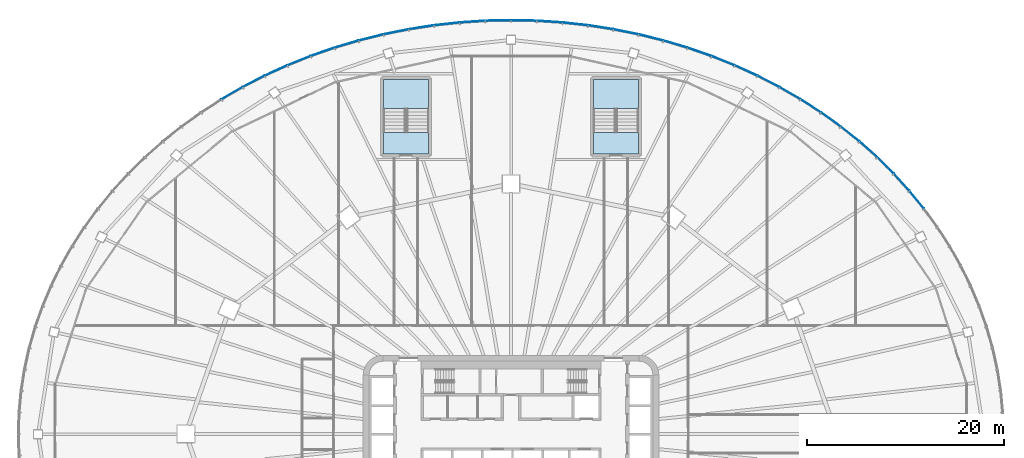
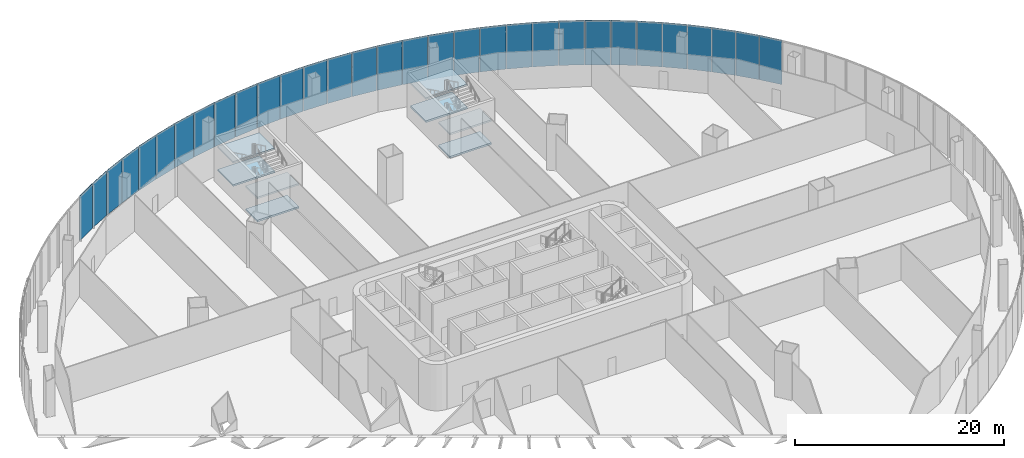
# One storey, part 19 of 42: 31 plates, 8 slabs, 9 elements without a shape of their own.
"""IFC4 building model written with IfcOpenShell, lengths in metres."""

from ifc_helpers import new_model, si_unit, direction, frame, origin, place, context, subcontext, project, spatial, polyline, outline, extrude, material, layer, layer_set, type_object, element, aggregate, save


model = new_model("IFC4")

# Units and contexts
model_context = context("Model", 3, precision=1e-05, world=origin(), true_north=direction((0.0, 1.0)))
body_context = subcontext(model_context, "Body", "Model", "MODEL_VIEW")
ifc_project = project(units=[si_unit("LENGTHUNIT", "METRE"), si_unit("AREAUNIT", "SQUARE_METRE"), si_unit("VOLUMEUNIT", "CUBIC_METRE"), si_unit("PLANEANGLEUNIT", "RADIAN"), si_unit("MASSUNIT", "GRAM", prefix="KILO")], contexts=[model_context])

# Site, building, storey
site_placement = place(None, origin())
site = spatial("IfcSite", under=ifc_project, at=site_placement, CompositionType="ELEMENT")
building_placement = place(site_placement, origin())
building = spatial("IfcBuilding", under=site, at=building_placement, Name="Sahrelin Media Tower", CompositionType="ELEMENT")
storey_placement = place(building_placement, frame((0.0, 0.0, 26.0)))
storey = spatial("IfcBuildingStorey", under=building, at=storey_placement, Name="L03", CompositionType="ELEMENT", Elevation=26.0)

# Curtain wall, plates
ifc_material_1 = material(Name="Champagne anodised aluminium 6063-T6", Category="aluminium")
ifc_layer_1 = layer(ifc_material_1, 0.14990234375)
ifc_layer_set_1 = layer_set([ifc_layer_1], Name="Podium ribbon curtain wall")
curtain_wall_type = type_object("IfcCurtainWallType", Name="Podium ribbon curtain wall", PredefinedType="NOTDEFINED", material=ifc_layer_set_1)
curtain_wall_1_placement = place(storey_placement, frame((43.30126953125, 21.0, 0.0), z_axis=(0.0, 0.0, 1.0), x_axis=(1.0, 0.0, 0.0)))
curtain_wall_1 = element("IfcCurtainWall", 1, at=curtain_wall_1_placement, inside=storey, type_object=curtain_wall_type, Name="L03:CW:L03-P02", PredefinedType="NOTDEFINED")
ifc_material_2 = material(Name="Clear low-iron glazing", Category="glass")
ifc_layer_2 = layer(ifc_material_2, 0.050048828125)
ifc_layer_set_2 = layer_set([ifc_layer_2], Name="Glazing panel 50 mm CW5")
plate_type = type_object("IfcPlateType", Name="Glazing panel 50 mm CW5", PredefinedType="CURTAIN_PANEL", material=ifc_layer_set_2)
plate_1_placement = place(storey_placement, frame((41.917236328125, 22.92626953125, 0.0), z_axis=(0.773971540698, 0.633220383586, 0.0), x_axis=(-0.633220383586, 0.773971540698, 0.0)))
plate_1 = element("IfcPlate", 2, at=plate_1_placement, type_object=plate_type, Name="L03:CWP2a:L03-P02", PredefinedType="CURTAIN_PANEL", context=body_context, shape_type="SweptSolid", body=[
    extrude(outline(polyline([(0.0, 0.0), (2.291259765625, 0.0), (2.291259765625, 5.199951171875), (0.0, 5.199951171875), (0.0, 0.0)])), origin(), (0.0, 0.0, -1.0), 0.050048828125),
])
plate_2_placement = place(storey_placement, frame((40.431884765625, 24.7373046875, 0.0), z_axis=(0.738366649953, 0.674399503438, 0.0), x_axis=(-0.674399503438, 0.738366649953, 0.0)))
plate_2 = element("IfcPlate", 3, at=plate_2_placement, type_object=plate_type, Name="L03:CWP3a:L03-P02", PredefinedType="CURTAIN_PANEL", context=body_context, shape_type="SweptSolid", body=[
    extrude(outline(polyline([(0.0, 0.0), (2.31298828125, 0.0), (2.31298828125, 5.199951171875), (0.0, 5.199951171875), (0.0, 0.0)])), origin(), (0.0, 0.0, -1.0), 0.050048828125),
])
plate_3_placement = place(storey_placement, frame((38.835693359375, 26.480712890625, 0.0), z_axis=(0.701226778189, 0.712938290142, 0.0), x_axis=(-0.712938290142, 0.701226778189, 0.0)))
plate_3 = element("IfcPlate", 4, at=plate_3_placement, type_object=plate_type, Name="L03:CWP4a:L03-P02", PredefinedType="CURTAIN_PANEL", context=body_context, shape_type="SweptSolid", body=[
    extrude(outline(polyline([(0.0, 0.0), (2.334716796875, 0.0), (2.334716796875, 5.199951171875), (0.0, 5.199951171875), (0.0, 0.0)])), origin(), (0.0, 0.0, -1.0), 0.050048828125),
])
plate_4_placement = place(storey_placement, frame((37.133056640625, 28.151611328125, 0.0), z_axis=(0.662799646717, 0.74879678706, 0.0), x_axis=(-0.74879678706, 0.662799646717, 0.0)))
plate_4 = element("IfcPlate", 5, at=plate_4_placement, type_object=plate_type, Name="L03:CWP5a:L03-P02", PredefinedType="CURTAIN_PANEL", context=body_context, shape_type="SweptSolid", body=[
    extrude(outline(polyline([(0.0, 0.0), (2.356201171875, 0.0), (2.356201171875, 5.199951171875), (0.0, 5.199951171875), (0.0, 0.0)])), origin(), (0.0, 0.0, -1.0), 0.050048828125),
])
aggregate(curtain_wall_1, [plate_1, plate_2, plate_3, plate_4])

curtain_wall_2_placement = place(storey_placement, frame((35.355224609375, 29.698486328125, 0.0), z_axis=(0.0, 0.0, 1.0), x_axis=(1.0, 0.0, 0.0)))
curtain_wall_2 = element("IfcCurtainWall", 6, at=curtain_wall_2_placement, inside=storey, type_object=curtain_wall_type, Name="L03:CW:L03-P03", PredefinedType="NOTDEFINED")
plate_5_placement = place(storey_placement, frame((35.32861328125, 29.745361328125, 0.0), z_axis=(0.62334202437, 0.781949308238, 0.0), x_axis=(-0.781949308238, 0.62334202437, 0.0)))
plate_5 = element("IfcPlate", 7, at=plate_5_placement, type_object=plate_type, Name="L03:CWP1a:L03-P03", PredefinedType="CURTAIN_PANEL", context=body_context, shape_type="SweptSolid", body=[
    extrude(outline(polyline([(0.0, 0.0), (2.378173828125, 0.0), (2.378173828125, 5.199951171875), (0.0, 5.199951171875), (0.0, 0.0)])), origin(), (0.0, 0.0, -1.0), 0.050048828125),
])
plate_6_placement = place(storey_placement, frame((33.427490234375, 31.257568359375, 0.0), z_axis=(0.582969203384, 0.812494250999, 0.0), x_axis=(-0.812494250999, 0.582969203384, 0.0)))
plate_6 = element("IfcPlate", 8, at=plate_6_placement, type_object=plate_type, Name="L03:CWP2a:L03-P03", PredefinedType="CURTAIN_PANEL", context=body_context, shape_type="SweptSolid", body=[
    extrude(outline(polyline([(0.0, 0.0), (2.399658203125, 0.0), (2.399658203125, 5.199951171875), (0.0, 5.199951171875), (0.0, 0.0)])), origin(), (0.0, 0.0, -1.0), 0.050048828125),
])
plate_7_placement = place(storey_placement, frame((31.434814453125, 32.68408203125, 0.0), z_axis=(0.541786842033, 0.840515923585, 0.0), x_axis=(-0.840515923585, 0.541786842033, 0.0)))
plate_7 = element("IfcPlate", 9, at=plate_7_placement, type_object=plate_type, Name="L03:CWP3a:L03-P03", PredefinedType="CURTAIN_PANEL", context=body_context, shape_type="SweptSolid", body=[
    extrude(outline(polyline([(0.0, 0.0), (2.420654296875, 0.0), (2.420654296875, 5.199951171875), (0.0, 5.199951171875), (0.0, 0.0)])), origin(), (0.0, 0.0, -1.0), 0.050048828125),
])
plate_8_placement = place(storey_placement, frame((29.35595703125, 34.02099609375, 0.0), z_axis=(0.499979298005, 0.866037355757, 0.0), x_axis=(-0.866037355757, 0.499979298005, 0.0)))
plate_8 = element("IfcPlate", 10, at=plate_8_placement, type_object=plate_type, Name="L03:CWP4a:L03-P03", PredefinedType="CURTAIN_PANEL", context=body_context, shape_type="SweptSolid", body=[
    extrude(outline(polyline([(0.0, 0.0), (2.44091796875, 0.0), (2.44091796875, 5.199951171875), (0.0, 5.199951171875), (0.0, 0.0)])), origin(), (0.0, 0.0, -1.0), 0.050048828125),
])
plate_9_placement = place(storey_placement, frame((27.19677734375, 35.264892578125, 0.0), z_axis=(0.457661890487, 0.88912630936, 0.0), x_axis=(-0.88912630936, 0.457661890487, 0.0)))
plate_9 = element("IfcPlate", 11, at=plate_9_placement, type_object=plate_type, Name="L03:CWP5a:L03-P03", PredefinedType="CURTAIN_PANEL", context=body_context, shape_type="SweptSolid", body=[
    extrude(outline(polyline([(0.0, 0.0), (2.460205078125, 0.0), (2.460205078125, 5.199951171875), (0.0, 5.199951171875), (0.0, 0.0)])), origin(), (0.0, 0.0, -1.0), 0.050048828125),
])
aggregate(curtain_wall_2, [plate_5, plate_6, plate_7, plate_8, plate_9])

curtain_wall_3_placement = place(storey_placement, frame((25.0, 36.373046875, 0.0), z_axis=(0.0, 0.0, 1.0), x_axis=(1.0, 0.0, 0.0)))
curtain_wall_3 = element("IfcCurtainWall", 12, at=curtain_wall_3_placement, inside=storey, type_object=curtain_wall_type, Name="L03:CW:L03-P04", PredefinedType="NOTDEFINED")
plate_10_placement = place(storey_placement, frame((24.962890625, 36.412109375, 0.0), z_axis=(0.414893598906, 0.909869936632, 0.0), x_axis=(-0.909869936632, 0.414893598906, 0.0)))
plate_10 = element("IfcPlate", 13, at=plate_10_placement, type_object=plate_type, Name="L03:CWP1a:L03-P04", PredefinedType="CURTAIN_PANEL", context=body_context, shape_type="SweptSolid", body=[
    extrude(outline(polyline([(0.0, 0.0), (2.478515625, 0.0), (2.478515625, 5.199951171875), (0.0, 5.199951171875), (0.0, 0.0)])), origin(), (0.0, 0.0, -1.0), 0.050048828125),
])
plate_11_placement = place(storey_placement, frame((22.660400390625, 37.45947265625, 0.0), z_axis=(0.371913588766, 0.928267355071, 0.0), x_axis=(-0.928267355071, 0.371913588766, 0.0)))
plate_11 = element("IfcPlate", 14, at=plate_11_placement, type_object=plate_type, Name="L03:CWP2a:L03-P04", PredefinedType="CURTAIN_PANEL", context=body_context, shape_type="SweptSolid", body=[
    extrude(outline(polyline([(0.0, 0.0), (2.4951171875, 0.0), (2.4951171875, 5.199951171875), (0.0, 5.199951171875), (0.0, 0.0)])), origin(), (0.0, 0.0, -1.0), 0.050048828125),
])
plate_12_placement = place(storey_placement, frame((20.296142578125, 38.404296875, 0.0), z_axis=(0.328599832248, 0.944469242615, 0.0), x_axis=(-0.944469242615, 0.328599832248, 0.0)))
plate_12 = element("IfcPlate", 15, at=plate_12_placement, type_object=plate_type, Name="L03:CWP3a:L03-P04", PredefinedType="CURTAIN_PANEL", context=body_context, shape_type="SweptSolid", body=[
    extrude(outline(polyline([(0.0, 0.0), (2.510498046875, 0.0), (2.510498046875, 5.199951171875), (0.0, 5.199951171875), (0.0, 0.0)])), origin(), (0.0, 0.0, -1.0), 0.050048828125),
])
plate_13_placement = place(storey_placement, frame((17.876220703125, 39.243896484375, 0.0), z_axis=(0.285102349758, 0.958497078849, 0.0), x_axis=(-0.958497078849, 0.285102349758, 0.0)))
plate_13 = element("IfcPlate", 16, at=plate_13_placement, type_object=plate_type, Name="L03:CWP4a:L03-P04", PredefinedType="CURTAIN_PANEL", context=body_context, shape_type="SweptSolid", body=[
    extrude(outline(polyline([(0.0, 0.0), (2.5244140625, 0.0), (2.5244140625, 5.199951171875), (0.0, 5.199951171875), (0.0, 0.0)])), origin(), (0.0, 0.0, -1.0), 0.050048828125),
])
plate_14_placement = place(storey_placement, frame((15.406982421875, 39.975830078125, 0.0), z_axis=(0.241516267963, 0.970396770558, 0.0), x_axis=(-0.970396770558, 0.241516267963, 0.0)))
plate_14 = element("IfcPlate", 17, at=plate_14_placement, type_object=plate_type, Name="L03:CWP5a:L03-P04", PredefinedType="CURTAIN_PANEL", context=body_context, shape_type="SweptSolid", body=[
    extrude(outline(polyline([(0.0, 0.0), (2.536376953125, 0.0), (2.536376953125, 5.199951171875), (0.0, 5.199951171875), (0.0, 0.0)])), origin(), (0.0, 0.0, -1.0), 0.050048828125),
])
aggregate(curtain_wall_3, [plate_10, plate_11, plate_12, plate_13, plate_14])

curtain_wall_4_placement = place(storey_placement, frame((12.94091796875, 40.56884765625, 0.0), z_axis=(0.0, 0.0, 1.0), x_axis=(1.0, 0.0, 0.0)))
curtain_wall_4 = element("IfcCurtainWall", 18, at=curtain_wall_4_placement, inside=storey, type_object=curtain_wall_type, Name="L03:CW:L03-P05", PredefinedType="NOTDEFINED")
plate_15_placement = place(storey_placement, frame((12.89599609375, 40.598388671875, 0.0), z_axis=(0.197682982877, 0.980266003838, 0.0), x_axis=(-0.980266003838, 0.197682982877, 0.0)))
plate_15 = element("IfcPlate", 19, at=plate_15_placement, type_object=plate_type, Name="L03:CWP1a:L03-P05", PredefinedType="CURTAIN_PANEL", context=body_context, shape_type="SweptSolid", body=[
    extrude(outline(polyline([(0.0, 0.0), (2.546630859375, 0.0), (2.546630859375, 5.199951171875), (0.0, 5.199951171875), (0.0, 0.0)])), origin(), (0.0, 0.0, -1.0), 0.050048828125),
])
plate_16_placement = place(storey_placement, frame((10.349365234375, 41.109619140625, 0.0), z_axis=(0.153837616307, 0.988096142999, 0.0), x_axis=(-0.988096142999, 0.153837616307, 0.0)))
plate_16 = element("IfcPlate", 20, at=plate_16_placement, type_object=plate_type, Name="L03:CWP2a:L03-P05", PredefinedType="CURTAIN_PANEL", context=body_context, shape_type="SweptSolid", body=[
    extrude(outline(polyline([(0.0, 0.0), (2.55517578125, 0.0), (2.55517578125, 5.199951171875), (0.0, 5.199951171875), (0.0, 0.0)])), origin(), (0.0, 0.0, -1.0), 0.050048828125),
])
plate_17_placement = place(storey_placement, frame((7.774169921875, 41.50830078125, 0.0), z_axis=(0.109908392122, 0.9939417213, 0.0), x_axis=(-0.9939417213, 0.109908392122, 0.0)))
plate_17 = element("IfcPlate", 21, at=plate_17_placement, type_object=plate_type, Name="L03:CWP3a:L03-P05", PredefinedType="CURTAIN_PANEL", context=body_context, shape_type="SweptSolid", body=[
    extrude(outline(polyline([(0.0, 0.0), (2.561279296875, 0.0), (2.561279296875, 5.199951171875), (0.0, 5.199951171875), (0.0, 0.0)])), origin(), (0.0, 0.0, -1.0), 0.050048828125),
])
plate_18_placement = place(storey_placement, frame((5.177734375, 41.793212890625, 0.0), z_axis=(0.065956789275, 0.997822480178, 0.0), x_axis=(-0.997822480178, 0.065956789275, 0.0)))
plate_18 = element("IfcPlate", 22, at=plate_18_placement, type_object=plate_type, Name="L03:CWP4a:L03-P05", PredefinedType="CURTAIN_PANEL", context=body_context, shape_type="SweptSolid", body=[
    extrude(outline(polyline([(0.0, 0.0), (2.565185546875, 0.0), (2.565185546875, 5.199951171875), (0.0, 5.199951171875), (0.0, 0.0)])), origin(), (0.0, 0.0, -1.0), 0.050048828125),
])
plate_19_placement = place(storey_placement, frame((2.5673828125, 41.96337890625, 0.0), z_axis=(0.022060447041, 0.999756638726, 0.0), x_axis=(-0.999756638726, 0.022060447041, 0.0)))
plate_19 = element("IfcPlate", 23, at=plate_19_placement, type_object=plate_type, Name="L03:CWP5a:L03-P05", PredefinedType="CURTAIN_PANEL", context=body_context, shape_type="SweptSolid", body=[
    extrude(outline(polyline([(0.0, 0.0), (2.567626953125, 0.0), (2.567626953125, 5.199951171875), (0.0, 5.199951171875), (0.0, 0.0)])), origin(), (0.0, 0.0, -1.0), 0.050048828125),
])
aggregate(curtain_wall_4, [plate_15, plate_16, plate_17, plate_18, plate_19])

curtain_wall_5_placement = place(storey_placement, frame((0.0, 42.0, 0.0), z_axis=(0.0, 0.0, 1.0), x_axis=(1.0, 0.0, 0.0)))
curtain_wall_5 = element("IfcCurtainWall", 24, at=curtain_wall_5_placement, inside=storey, type_object=curtain_wall_type, Name="L03:CW:L03-P06", PredefinedType="NOTDEFINED")
plate_20_placement = place(storey_placement, frame((-0.05029296875, 42.018798828125, 0.0), z_axis=(-0.021965404884, 0.999758731389, 0.0), x_axis=(-0.999758731389, -0.021965404884, 0.0)))
plate_20 = element("IfcPlate", 25, at=plate_20_placement, type_object=plate_type, Name="L03:CWP1a:L03-P06", PredefinedType="CURTAIN_PANEL", context=body_context, shape_type="SweptSolid", body=[
    extrude(outline(polyline([(0.0, 0.0), (2.567626953125, 0.0), (2.567626953125, 5.199951171875), (0.0, 5.199951171875), (0.0, 0.0)])), origin(), (0.0, 0.0, -1.0), 0.050048828125),
])
plate_21_placement = place(storey_placement, frame((-2.66796875, 41.958984375, 0.0), z_axis=(-0.065950526052, 0.997822894162, 0.0), x_axis=(-0.997822894162, -0.065950526052, 0.0)))
plate_21 = element("IfcPlate", 26, at=plate_21_placement, type_object=plate_type, Name="L03:CWP2a:L03-P06", PredefinedType="CURTAIN_PANEL", context=body_context, shape_type="SweptSolid", body=[
    extrude(outline(polyline([(0.0, 0.0), (2.5654296875, 0.0), (2.5654296875, 5.199951171875), (0.0, 5.199951171875), (0.0, 0.0)])), origin(), (0.0, 0.0, -1.0), 0.050048828125),
])
plate_22_placement = place(storey_placement, frame((-5.2783203125, 41.7841796875, 0.0), z_axis=(-0.109908392122, 0.9939417213, 0.0), x_axis=(-0.9939417213, -0.109908392122, 0.0)))
plate_22 = element("IfcPlate", 27, at=plate_22_placement, type_object=plate_type, Name="L03:CWP3a:L03-P06", PredefinedType="CURTAIN_PANEL", context=body_context, shape_type="SweptSolid", body=[
    extrude(outline(polyline([(0.0, 0.0), (2.561279296875, 0.0), (2.561279296875, 5.199951171875), (0.0, 5.199951171875), (0.0, 0.0)])), origin(), (0.0, 0.0, -1.0), 0.050048828125),
])
plate_23_placement = place(storey_placement, frame((-7.874267578125, 41.4951171875, 0.0), z_axis=(-0.153852142069, 0.98809388136, 0.0), x_axis=(-0.98809388136, -0.153852142069, 0.0)))
plate_23 = element("IfcPlate", 28, at=plate_23_placement, type_object=plate_type, Name="L03:CWP4a:L03-P06", PredefinedType="CURTAIN_PANEL", context=body_context, shape_type="SweptSolid", body=[
    extrude(outline(polyline([(0.0, 0.0), (2.554931640625, 0.0), (2.554931640625, 5.199951171875), (0.0, 5.199951171875), (0.0, 0.0)])), origin(), (0.0, 0.0, -1.0), 0.050048828125),
])
plate_24_placement = place(storey_placement, frame((-10.448486328125, 41.091796875, 0.0), z_axis=(-0.197664406805, 0.980269749754, 0.0), x_axis=(-0.980269749754, -0.197664406805, 0.0)))
plate_24 = element("IfcPlate", 29, at=plate_24_placement, type_object=plate_type, Name="L03:CWP5a:L03-P06", PredefinedType="CURTAIN_PANEL", context=body_context, shape_type="SweptSolid", body=[
    extrude(outline(polyline([(0.0, 0.0), (2.546875, 0.0), (2.546875, 5.199951171875), (0.0, 5.199951171875), (0.0, 0.0)])), origin(), (0.0, 0.0, -1.0), 0.050048828125),
])
aggregate(curtain_wall_5, [plate_20, plate_21, plate_22, plate_23, plate_24])

curtain_wall_6_placement = place(storey_placement, frame((-12.94091796875, 40.56884765625, 0.0), z_axis=(0.0, 0.0, 1.0), x_axis=(1.0, 0.0, 0.0)))
curtain_wall_6 = element("IfcCurtainWall", 30, at=curtain_wall_6_placement, inside=storey, type_object=curtain_wall_type, Name="L03:CW:L03-P07", PredefinedType="NOTDEFINED")
plate_25_placement = place(storey_placement, frame((-12.994384765625, 40.576171875, 0.0), z_axis=(-0.241425619685, 0.970419326971, 0.0), x_axis=(-0.970419326971, -0.241425619685, 0.0)))
plate_25 = element("IfcPlate", 31, at=plate_25_placement, type_object=plate_type, Name="L03:CWP1a:L03-P07", PredefinedType="CURTAIN_PANEL", context=body_context, shape_type="SweptSolid", body=[
    extrude(outline(polyline([(0.0, 0.0), (2.5361328125, 0.0), (2.5361328125, 5.199951171875), (0.0, 5.199951171875), (0.0, 0.0)])), origin(), (0.0, 0.0, -1.0), 0.050048828125),
])
plate_26_placement = place(storey_placement, frame((-15.50439453125, 39.94921875, 0.0), z_axis=(-0.285102349758, 0.958497078849, 0.0), x_axis=(-0.958497078849, -0.285102349758, 0.0)))
plate_26 = element("IfcPlate", 32, at=plate_26_placement, type_object=plate_type, Name="L03:CWP2a:L03-P07", PredefinedType="CURTAIN_PANEL", context=body_context, shape_type="SweptSolid", body=[
    extrude(outline(polyline([(0.0, 0.0), (2.5244140625, 0.0), (2.5244140625, 5.199951171875), (0.0, 5.199951171875), (0.0, 0.0)])), origin(), (0.0, 0.0, -1.0), 0.050048828125),
])
plate_27_placement = place(storey_placement, frame((-17.97216796875, 39.212890625, 0.0), z_axis=(-0.328656390674, 0.944449562904, 0.0), x_axis=(-0.944449562904, -0.328656390674, 0.0)))
plate_27 = element("IfcPlate", 33, at=plate_27_placement, type_object=plate_type, Name="L03:CWP3a:L03-P07", PredefinedType="CURTAIN_PANEL", context=body_context, shape_type="SweptSolid", body=[
    extrude(outline(polyline([(0.0, 0.0), (2.5107421875, 0.0), (2.5107421875, 5.199951171875), (0.0, 5.199951171875), (0.0, 0.0)])), origin(), (0.0, 0.0, -1.0), 0.050048828125),
])
plate_28_placement = place(storey_placement, frame((-20.390625, 38.368896484375, 0.0), z_axis=(-0.371913588766, 0.928267355071, 0.0), x_axis=(-0.928267355071, -0.371913588766, 0.0)))
plate_28 = element("IfcPlate", 34, at=plate_28_placement, type_object=plate_type, Name="L03:CWP4a:L03-P07", PredefinedType="CURTAIN_PANEL", context=body_context, shape_type="SweptSolid", body=[
    extrude(outline(polyline([(0.0, 0.0), (2.4951171875, 0.0), (2.4951171875, 5.199951171875), (0.0, 5.199951171875), (0.0, 0.0)])), origin(), (0.0, 0.0, -1.0), 0.050048828125),
])
plate_29_placement = place(storey_placement, frame((-22.75341796875, 37.419677734375, 0.0), z_axis=(-0.414930786604, 0.909852978413, 0.0), x_axis=(-0.909852978413, -0.414930786604, 0.0)))
plate_29 = element("IfcPlate", 35, at=plate_29_placement, type_object=plate_type, Name="L03:CWP5a:L03-P07", PredefinedType="CURTAIN_PANEL", context=body_context, shape_type="SweptSolid", body=[
    extrude(outline(polyline([(0.0, 0.0), (2.478271484375, 0.0), (2.478271484375, 5.199951171875), (0.0, 5.199951171875), (0.0, 0.0)])), origin(), (0.0, 0.0, -1.0), 0.050048828125),
])
aggregate(curtain_wall_6, [plate_25, plate_26, plate_27, plate_28, plate_29])

curtain_wall_7_placement = place(storey_placement, frame((-25.0, 36.373046875, 0.0), z_axis=(0.0, 0.0, 1.0), x_axis=(1.0, 0.0, 0.0)))
curtain_wall_7 = element("IfcCurtainWall", 36, at=curtain_wall_7_placement, inside=storey, type_object=curtain_wall_type, Name="L03:CW:L03-P08", PredefinedType="NOTDEFINED")
plate_30_placement = place(storey_placement, frame((-25.0537109375, 36.367919921875, 0.0), z_axis=(-0.457661890487, 0.88912630936, 0.0), x_axis=(-0.88912630936, -0.457661890487, 0.0)))
plate_30 = element("IfcPlate", 37, at=plate_30_placement, type_object=plate_type, Name="L03:CWP1a:L03-P08", PredefinedType="CURTAIN_PANEL", context=body_context, shape_type="SweptSolid", body=[
    extrude(outline(polyline([(0.0, 0.0), (2.460205078125, 0.0), (2.460205078125, 5.199951171875), (0.0, 5.199951171875), (0.0, 0.0)])), origin(), (0.0, 0.0, -1.0), 0.050048828125),
])
plate_31_placement = place(storey_placement, frame((-27.285400390625, 35.216552734375, 0.0), z_axis=(-0.499979298005, 0.866037355757, 0.0), x_axis=(-0.866037355757, -0.499979298005, 0.0)))
plate_31 = element("IfcPlate", 38, at=plate_31_placement, type_object=plate_type, Name="L03:CWP2a:L03-P08", PredefinedType="CURTAIN_PANEL", context=body_context, shape_type="SweptSolid", body=[
    extrude(outline(polyline([(0.0, 0.0), (2.44091796875, 0.0), (2.44091796875, 5.199951171875), (0.0, 5.199951171875), (0.0, 0.0)])), origin(), (0.0, 0.0, -1.0), 0.050048828125),
])
aggregate(curtain_wall_7, [plate_30, plate_31])

# Stair, slabs
ifc_material_3 = material(Name="Concrete C40/50", Category="concrete")
stair_type = type_object("IfcStairType", Name="Podium stair 2225", PredefinedType="HALF_TURN_STAIR", material=ifc_material_3)
placement_1 = place(storey_placement, origin())
stair_1 = element("IfcStair", 39, at=placement_1, inside=storey, type_object=stair_type, Name="L03 Podium stair PS1", PredefinedType="HALF_TURN_STAIR")
ifc_layer_3 = layer(ifc_material_3, 0.199951171875)
ifc_layer_set_3 = layer_set([ifc_layer_3], Name="Stair landing 200")
slab_type = type_object("IfcSlabType", Name="Stair landing 200", PredefinedType="LANDING", material=ifc_layer_set_3)
placement_2 = place(storey_placement, frame((0.0, 0.0, 1.14990234375)))
slab_1 = element("IfcSlab", 40, at=placement_2, type_object=slab_type, Name="PS1 landing 1", PredefinedType="LANDING", context=body_context, shape_type="SweptSolid", body=[
    extrude(outline(polyline([(12.949951171875, 33.02490234375), (12.949951171875, 36.0), (8.35009765625, 36.0), (8.35009765625, 33.02490234375), (12.949951171875, 33.02490234375)])), origin(), (0.0, 0.0, 1.0), 0.2001953125),
])
placement_3 = place(storey_placement, frame((0.0, 0.0, 2.5)))
slab_2 = element("IfcSlab", 41, at=placement_3, type_object=slab_type, Name="PS1 landing 2", PredefinedType="LANDING", context=body_context, shape_type="SweptSolid", body=[
    extrude(outline(polyline([(12.949951171875, 28.39990234375), (12.949951171875, 30.625), (8.35009765625, 30.625), (8.35009765625, 28.39990234375), (12.949951171875, 28.39990234375)])), origin(), (0.0, 0.0, 1.0), 0.199951171875),
])
placement_4 = place(storey_placement, frame((0.0, 0.0, 3.85009765625)))
slab_3 = element("IfcSlab", 42, at=placement_4, type_object=slab_type, Name="PS1 landing 3", PredefinedType="LANDING", context=body_context, shape_type="SweptSolid", body=[
    extrude(outline(polyline([(12.949951171875, 33.02490234375), (12.949951171875, 36.0), (8.35009765625, 36.0), (8.35009765625, 33.02490234375), (12.949951171875, 33.02490234375)])), origin(), (0.0, 0.0, 1.0), 0.199951171875),
])
placement_5 = place(storey_placement, frame((0.0, 0.0, -0.199951171875)))
slab_4 = element("IfcSlab", 43, at=placement_5, type_object=slab_type, Name="PS1 landing 4", PredefinedType="LANDING", context=body_context, shape_type="SweptSolid", body=[
    extrude(outline(polyline([(12.949951171875, 28.39990234375), (12.949951171875, 30.625), (8.35009765625, 30.625), (8.35009765625, 28.39990234375), (12.949951171875, 28.39990234375)])), origin(), (0.0, 0.0, 1.0), 0.199951171875),
])
aggregate(stair_1, [slab_1, slab_2, slab_3, slab_4])

stair_2 = element("IfcStair", 44, at=placement_1, inside=storey, type_object=stair_type, Name="L03 Podium stair PS2", PredefinedType="HALF_TURN_STAIR")
slab_5 = element("IfcSlab", 45, at=placement_2, type_object=slab_type, Name="PS2 landing 1", PredefinedType="LANDING", context=body_context, shape_type="SweptSolid", body=[
    extrude(outline(polyline([(-8.35009765625, 33.02490234375), (-8.35009765625, 36.0), (-12.949951171875, 36.0), (-12.949951171875, 33.02490234375), (-8.35009765625, 33.02490234375)])), origin(), (0.0, 0.0, 1.0), 0.2001953125),
])
slab_6 = element("IfcSlab", 46, at=placement_3, type_object=slab_type, Name="PS2 landing 2", PredefinedType="LANDING", context=body_context, shape_type="SweptSolid", body=[
    extrude(outline(polyline([(-8.35009765625, 28.39990234375), (-8.35009765625, 30.625), (-12.949951171875, 30.625), (-12.949951171875, 28.39990234375), (-8.35009765625, 28.39990234375)])), origin(), (0.0, 0.0, 1.0), 0.199951171875),
])
slab_7 = element("IfcSlab", 47, at=placement_4, type_object=slab_type, Name="PS2 landing 3", PredefinedType="LANDING", context=body_context, shape_type="SweptSolid", body=[
    extrude(outline(polyline([(-8.35009765625, 33.02490234375), (-8.35009765625, 36.0), (-12.949951171875, 36.0), (-12.949951171875, 33.02490234375), (-8.35009765625, 33.02490234375)])), origin(), (0.0, 0.0, 1.0), 0.199951171875),
])
slab_8 = element("IfcSlab", 48, at=placement_5, type_object=slab_type, Name="PS2 landing 4", PredefinedType="LANDING", context=body_context, shape_type="SweptSolid", body=[
    extrude(outline(polyline([(-8.35009765625, 28.39990234375), (-8.35009765625, 30.625), (-12.949951171875, 30.625), (-12.949951171875, 28.39990234375), (-8.35009765625, 28.39990234375)])), origin(), (0.0, 0.0, 1.0), 0.199951171875),
])
aggregate(stair_2, [slab_5, slab_6, slab_7, slab_8])

save(model, "model.ifc")
